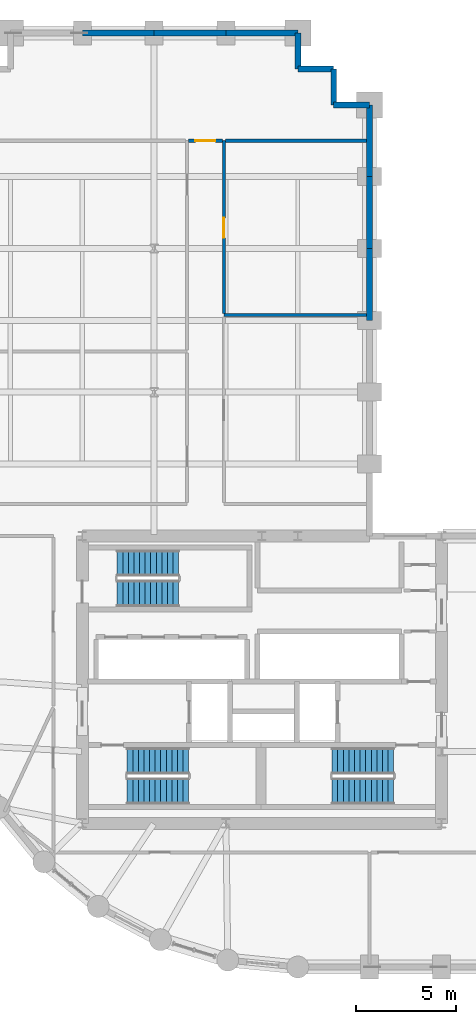
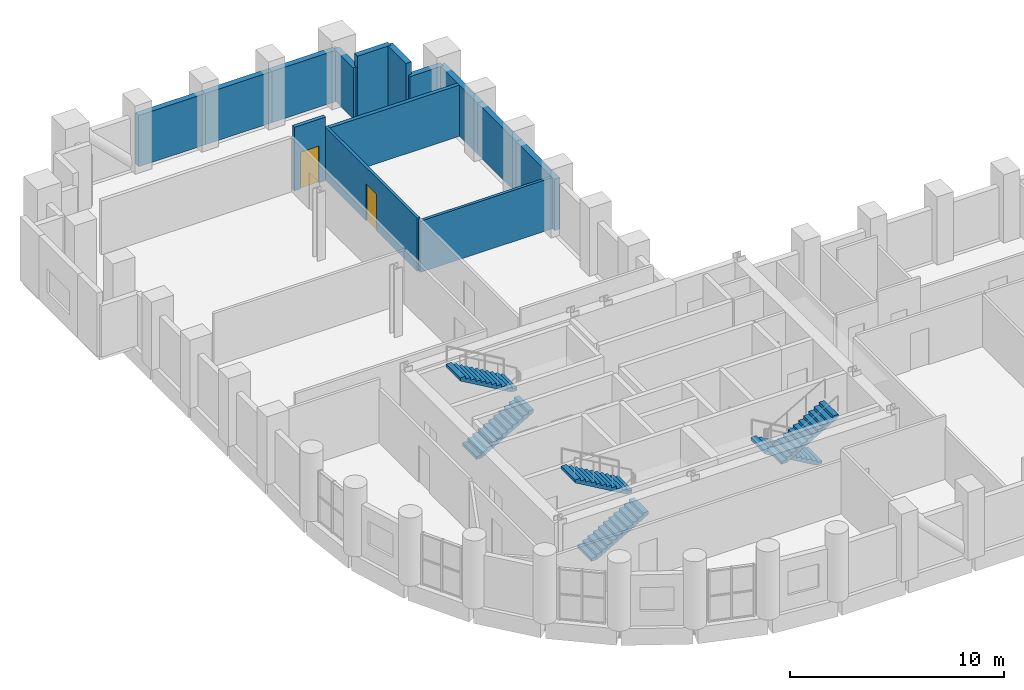
# One storey, part 12 of 13: 14 walls, 6 stair flights, 2 doors, 2 openings, 3 elements without a shape of their own.
"""IFC4 building model written with IfcOpenShell, lengths in metres."""

from ifc_helpers import new_model, si_unit, direction, frame, frame_2d, origin, place, context, subcontext, project, spatial, polyline, rectangle, outline, extrude, material, layer, layer_set, type_object, element, fill, aggregate, save


model = new_model("IFC4")

# Units and contexts
model_context = context("Model", 3, precision=1e-05, world=origin(), true_north=direction((0.0, 1.0)))
body_context = subcontext(model_context, "Body", "Model", "MODEL_VIEW")
ifc_project = project(units=[si_unit("LENGTHUNIT", "METRE"), si_unit("AREAUNIT", "SQUARE_METRE"), si_unit("VOLUMEUNIT", "CUBIC_METRE"), si_unit("PLANEANGLEUNIT", "RADIAN"), si_unit("MASSUNIT", "GRAM", prefix="KILO")], contexts=[model_context])

# Site, building, storey
site_placement = place(None, origin())
site = spatial("IfcSite", under=ifc_project, at=site_placement, CompositionType="ELEMENT")
building_placement = place(site_placement, origin())
building = spatial("IfcBuilding", under=site, at=building_placement, Name="Solnavia Interchange Tower", CompositionType="ELEMENT")
storey_placement = place(building_placement, frame((0.0, 0.0, 51.300048828125)))
storey = spatial("IfcBuildingStorey", under=building, at=storey_placement, Name="L12", CompositionType="ELEMENT", Elevation=51.300048828125)

# Wall
ifc_material_1 = material(Name="Gypsum Acoustic Twin-Stud & Mineral Wool", Category="gypsum")
ifc_layer_1 = layer(ifc_material_1, 0.199951171875)
ifc_layer_set_1 = layer_set([ifc_layer_1], Name="Gypsum Acoustic Twin-Stud & Mineral Wool")
wall_type_1 = type_object("IfcWallType", Name="Wall-ApartmentParty-200", PredefinedType="PARTITIONING", material=ifc_layer_set_1)
wall_1_placement = place(storey_placement, frame((21.5791015625, 45.0, 0.0), z_axis=(0.0, 0.0, 1.0), x_axis=(1.0, 0.0, 0.0)))
element("IfcWall", 1, at=wall_1_placement, inside=storey, type_object=wall_type_1, Name="PTW-L12-36 Interior partition wall", PredefinedType="PARTITIONING", context=body_context, shape_type="SweptSolid", body=[
    extrude(rectangle(XDim=7.06689453125, YDim=0.199951171875, at=frame_2d((3.533447265625, 0.0))), origin(), (0.0, 0.0, 1.0), 2.929931640625),
])

# Wall, opening, door
wall_2_placement = place(storey_placement, frame((19.72900390625, 45.0, 0.0), z_axis=(0.0, 0.0, 1.0), x_axis=(1.0, 0.0, 0.0)))
wall_2 = element("IfcWall", 2, at=wall_2_placement, inside=storey, type_object=wall_type_1, Name="PTW-L12-37 Interior partition wall", PredefinedType="PARTITIONING", context=body_context, shape_type="SweptSolid", body=[
    extrude(rectangle(XDim=1.69189453125, YDim=0.199951171875, at=frame_2d((0.845947265625, 0.0))), origin(), (0.0, 0.0, 1.0), 3.635009765625),
])
opening_1_placement = place(wall_2_placement, frame((0.339111328125, 0.0, 0.0)))
opening_1 = element("IfcOpeningElement", 3, at=opening_1_placement, cuts=wall_2, Name="Opening DR-06", PredefinedType="OPENING", context=body_context, shape_type="SweptSolid", body=[
    extrude(rectangle(XDim=1.0, YDim=2.10009765625, at=frame_2d((0.5, 1.050048828125))), frame((0.0, 0.10986328125, 0.0), z_axis=(0.0, -1.0, 0.0), x_axis=(1.0, 0.0, 0.0)), (0.0, 0.0, 1.0), 0.219970703125),
])
ifc_material_2 = material(Name="Engineered Timber Acoustic Fire Door", Category="wood")
door_type_1 = type_object("IfcDoorType", Name="Door-FlatEntry-1000x2100", OperationType="SINGLE_SWING_LEFT", PredefinedType="DOOR", material=ifc_material_2)
door_1_placement = place(opening_1_placement, origin())
door_1 = element("IfcDoor", 4, at=door_1_placement, inside=storey, type_object=door_type_1, Name="DR-L12-17 Interior room door", OperationType="SINGLE_SWING_LEFT", OverallHeight=2.10009765625, OverallWidth=1.0, PredefinedType="DOOR", context=body_context, shape_type="SweptSolid", body=[
    extrude(rectangle(XDim=1.0, YDim=2.10009765625, at=frame_2d((0.5, 1.050048828125))), frame((0.0, 0.02490234375, 0.0), z_axis=(0.0, -1.0, 0.0), x_axis=(1.0, 0.0, 0.0)), (0.0, 0.0, 1.0), 0.050048828125),
])
fill(opening_1, door_1)

# Walls
ifc_material_3 = material(Name="Concrete C40/50", Category="concrete")
ifc_layer_2 = layer(ifc_material_3, 0.300048828125)
ifc_layer_set_2 = layer_set([ifc_layer_2], Name="Concrete C40/50")
wall_type_2 = type_object("IfcWallType", Name="Wall-ExtSpandrel-300", PredefinedType="STANDARD", material=ifc_layer_set_2)
wall_3_placement = place(storey_placement, frame((28.800048828125, 36.0, 0.0), z_axis=(0.0, 0.0, 1.0), x_axis=(0.0, 1.0, 0.0)))
element("IfcWall", 5, at=wall_3_placement, inside=storey, type_object=wall_type_2, Name="EXW-L12-33 Exterior precast spandrel wall", PredefinedType="STANDARD", context=body_context, shape_type="SweptSolid", body=[
    extrude(rectangle(XDim=3.60009765625, YDim=0.300048828125, at=frame_2d((1.800048828125, 0.0))), origin(), (0.0, 0.0, 1.0), 2.929931640625),
])
wall_4_placement = place(storey_placement, frame((28.800048828125, 39.60009765625, 0.0), z_axis=(0.0, 0.0, 1.0), x_axis=(0.0, 1.0, 0.0)))
element("IfcWall", 6, at=wall_4_placement, inside=storey, type_object=wall_type_2, Name="EXW-L12-34 Exterior precast spandrel wall", PredefinedType="STANDARD", context=body_context, shape_type="SweptSolid", body=[
    extrude(rectangle(XDim=3.599853515625, YDim=0.300048828125, at=frame_2d((1.7998046875, 0.0))), origin(), (0.0, 0.0, 1.0), 2.929931640625),
])
wall_5_placement = place(storey_placement, frame((28.800048828125, 43.199951171875, 0.0), z_axis=(0.0, 0.0, 1.0), x_axis=(0.0, 1.0, 0.0)))
element("IfcWall", 7, at=wall_5_placement, inside=storey, type_object=wall_type_2, Name="EXW-L12-35 Exterior precast spandrel wall", PredefinedType="STANDARD", context=body_context, shape_type="SweptSolid", body=[
    extrude(rectangle(XDim=3.60009765625, YDim=0.300048828125, at=frame_2d((1.800048828125, 0.0))), origin(), (0.0, 0.0, 1.0), 2.929931640625),
])
wall_6_placement = place(storey_placement, frame((27.0, 46.800048828125, 0.0), z_axis=(0.0, 0.0, 1.0), x_axis=(1.0, 0.0, 0.0)))
element("IfcWall", 8, at=wall_6_placement, inside=storey, type_object=wall_type_2, Name="EXW-L12-36 Exterior precast spandrel wall", PredefinedType="STANDARD", context=body_context, shape_type="SweptSolid", body=[
    extrude(rectangle(XDim=1.800048828125, YDim=0.300048828125, at=frame_2d((0.89990234375, 0.0))), origin(), (0.0, 0.0, 1.0), 2.929931640625),
])
for number, where, z_axis, x_axis, name in (
    (9, (27.0, 46.800048828125, 0.0), (0.0, 0.0, 1.0), (0.0, 1.0, 0.0), "EXW-L12-37 Exterior precast spandrel wall"),
    (10, (25.199951171875, 48.60009765625, 0.0), (0.0, 0.0, 1.0), (1.0, 0.0, 0.0), "EXW-L12-38 Exterior precast spandrel wall"),
):
    element("IfcWall", number, at=place(storey_placement, frame(where, z_axis=z_axis, x_axis=x_axis)), inside=storey, type_object=wall_type_2, Name=name, PredefinedType="STANDARD", context=body_context, shape_type="SweptSolid", body=[
        extrude(rectangle(XDim=1.800048828125, YDim=0.300048828125, at=frame_2d((0.89990234375, 0.0))), origin(), (0.0, 0.0, 1.0), 3.635009765625),
    ])
wall_7_placement = place(storey_placement, frame((25.199951171875, 48.60009765625, 0.0), z_axis=(0.0, 0.0, 1.0), x_axis=(0.0, 1.0, 0.0)))
element("IfcWall", 11, at=wall_7_placement, inside=storey, type_object=wall_type_2, Name="EXW-L12-39 Exterior precast spandrel wall", PredefinedType="STANDARD", context=body_context, shape_type="SweptSolid", body=[
    extrude(rectangle(XDim=1.7998046875, YDim=0.300048828125, at=frame_2d((0.89990234375, 0.0))), origin(), (0.0, 0.0, 1.0), 2.929931640625),
])
wall_8_placement = place(storey_placement, frame((21.60009765625, 50.39990234375, 0.0), z_axis=(0.0, 0.0, 1.0), x_axis=(1.0, 0.0, 0.0)))
element("IfcWall", 12, at=wall_8_placement, inside=storey, type_object=wall_type_2, Name="EXW-L12-40 Exterior precast spandrel wall", PredefinedType="STANDARD", context=body_context, shape_type="SweptSolid", body=[
    extrude(rectangle(XDim=3.599853515625, YDim=0.300048828125, at=frame_2d((1.7998046875, 0.0))), origin(), (0.0, 0.0, 1.0), 2.929931640625),
])
for number, where, z_axis, x_axis, name in (
    (13, (18.0, 50.39990234375, 0.0), (0.0, 0.0, 1.0), (1.0, 0.0, 0.0), "EXW-L12-41 Exterior precast spandrel wall"),
    (14, (14.39990234375, 50.39990234375, 0.0), (0.0, 0.0, 1.0), (1.0, 0.0, 0.0), "EXW-L12-42 Exterior precast spandrel wall"),
):
    element("IfcWall", number, at=place(storey_placement, frame(where, z_axis=z_axis, x_axis=x_axis)), inside=storey, type_object=wall_type_2, Name=name, PredefinedType="STANDARD", context=body_context, shape_type="SweptSolid", body=[
        extrude(rectangle(XDim=3.60009765625, YDim=0.300048828125, at=frame_2d((1.800048828125, 0.0))), origin(), (0.0, 0.0, 1.0), 2.929931640625),
    ])
ifc_material_4 = material(Name="Gypsum Plasterboard & Steel Stud", Category="steel")
ifc_layer_3 = layer(ifc_material_4, 0.14990234375)
ifc_layer_set_3 = layer_set([ifc_layer_3], Name="Gypsum Plasterboard & Steel Stud")
wall_type_3 = type_object("IfcWallType", Name="Wall-Partition-150", PredefinedType="PARTITIONING", material=ifc_layer_set_3)
wall_9_placement = place(storey_placement, frame((21.5, 36.260009765625, 0.0), z_axis=(0.0, 0.0, 1.0), x_axis=(1.0, 0.0, 0.0)))
element("IfcWall", 15, at=wall_9_placement, inside=storey, type_object=wall_type_3, Name="PTW-L12-32 Interior partition wall", PredefinedType="PARTITIONING", context=body_context, shape_type="SweptSolid", body=[
    extrude(rectangle(XDim=7.14599609375, YDim=0.14990234375, at=frame_2d((3.572998046875, 0.0))), origin(), (0.0, 0.0, 1.0), 2.929931640625),
])

# Wall, opening, door
wall_10_placement = place(storey_placement, frame((21.5, 36.339111328125, 0.0), z_axis=(0.0, 0.0, 1.0), x_axis=(0.0, 1.0, 0.0)))
wall_10 = element("IfcWall", 16, at=wall_10_placement, inside=storey, type_object=wall_type_3, Name="PTW-L12-34 Interior partition wall", PredefinedType="PARTITIONING", context=body_context, shape_type="SweptSolid", body=[
    extrude(rectangle(XDim=8.660888671875, YDim=0.14990234375, at=frame_2d((4.33056640625, 0.0))), origin(), (0.0, 0.0, 1.0), 3.030029296875),
])
opening_2_placement = place(wall_10_placement, frame((3.791015625, 0.0, 0.0)))
opening_2 = element("IfcOpeningElement", 17, at=opening_2_placement, cuts=wall_10, Name="Opening DR-07", PredefinedType="OPENING", context=body_context, shape_type="SweptSolid", body=[
    extrude(rectangle(XDim=1.0, YDim=2.10009765625, at=frame_2d((0.5, 1.050048828125))), frame((0.0, 0.0849609375, 0.0), z_axis=(0.0, -1.0, 0.0), x_axis=(1.0, 0.0, 0.0)), (0.0, 0.0, 1.0), 0.169921875),
])
ifc_material_5 = material(Name="Timber & Acoustic Glazed Office Door", Category="wood")
door_type_2 = type_object("IfcDoorType", Name="Door-Office-1000x2100", OperationType="SINGLE_SWING_RIGHT", PredefinedType="DOOR", material=ifc_material_5)
door_2_placement = place(opening_2_placement, origin())
door_2 = element("IfcDoor", 18, at=door_2_placement, inside=storey, type_object=door_type_2, Name="DR-L12-16 Interior room door", OperationType="SINGLE_SWING_LEFT", OverallHeight=2.10009765625, OverallWidth=1.0, PredefinedType="DOOR", context=body_context, shape_type="SweptSolid", body=[
    extrude(rectangle(XDim=1.0, YDim=2.10009765625, at=frame_2d((0.5, 1.050048828125))), frame((0.0, 0.02490234375, 0.0), z_axis=(0.0, -1.0, 0.0), x_axis=(1.0, 0.0, 0.0)), (0.0, 0.0, 1.0), 0.050048828125),
])
fill(opening_2, door_2)

# Stair, stair flights
stair_type = type_object("IfcStairType", Name="Stair-Dogleg-RC", PredefinedType="HALF_TURN_STAIR", material=ifc_material_3)
stair_1_placement = place(storey_placement, origin())
stair_1 = element("IfcStair", 19, at=stair_1_placement, inside=storey, type_object=stair_type, Name="L12 Core exit stair 1", PredefinedType="HALF_TURN_STAIR")
stair_flight_type = type_object("IfcStairFlightType", Name="StairFlight-RC-150", PredefinedType="STRAIGHT", material=ifc_material_3)
stair_flight_1_placement = place(storey_placement, frame((16.64990234375, 12.409912109375, 0.0), z_axis=(0.0, 0.0, 1.0), x_axis=(1.0, 0.0, 0.0)))
stair_flight_1 = element("IfcStairFlight", 20, at=stair_flight_1_placement, type_object=stair_flight_type, Name="ST-1 flight 1", NumberOfRisers=12, NumberOfTreads=11, PredefinedType="STRAIGHT", RiserHeight=0.1625, TreadLength=0.28, context=body_context, shape_type="SweptSolid", body=[
    extrude(outline(polyline([(0.0, 0.0), (0.0, 0.16259765625), (0.280029296875, 0.16259765625), (0.280029296875, 0.324951171875), (0.56005859375, 0.324951171875), (0.56005859375, 0.487548828125), (0.840087890625, 0.487548828125), (0.840087890625, 0.64990234375), (1.1201171875, 0.64990234375), (1.1201171875, 0.8125), (1.39990234375, 0.8125), (1.39990234375, 0.97509765625), (1.679931640625, 0.97509765625), (1.679931640625, 1.137451171875), (1.9599609375, 1.137451171875), (1.9599609375, 1.300048828125), (2.239990234375, 1.300048828125), (2.239990234375, 1.46240234375), (2.52001953125, 1.46240234375), (2.52001953125, 1.625), (2.800048828125, 1.625), (2.800048828125, 1.78759765625), (3.080078125, 1.78759765625), (3.080078125, 1.949951171875), (3.080078125, 1.6142578125), (0.298583984375, 0.0), (0.0, 0.0)])), frame((0.0, 0.66015625, 0.0), z_axis=(0.0, -1.0, 0.0), x_axis=(1.0, 0.0, 0.0)), (0.0, 0.0, 1.0), 1.320068359375),
])
stair_flight_2_placement = place(storey_placement, frame((19.72998046875, 13.929931640625, 1.949951171875), z_axis=(0.0, 0.0, 1.0), x_axis=(-1.0, 0.0, 0.0)))
stair_flight_2 = element("IfcStairFlight", 21, at=stair_flight_2_placement, type_object=stair_flight_type, Name="ST-1 flight 2", NumberOfRisers=12, NumberOfTreads=11, PredefinedType="STRAIGHT", RiserHeight=0.1625, TreadLength=0.28, context=body_context, shape_type="SweptSolid", body=[
    extrude(outline(polyline([(0.0, 0.0), (0.0, 0.16259765625), (0.280029296875, 0.16259765625), (0.280029296875, 0.324951171875), (0.56005859375, 0.324951171875), (0.56005859375, 0.487548828125), (0.840087890625, 0.487548828125), (0.840087890625, 0.64990234375), (1.1201171875, 0.64990234375), (1.1201171875, 0.8125), (1.39990234375, 0.8125), (1.39990234375, 0.97509765625), (1.679931640625, 0.97509765625), (1.679931640625, 1.137451171875), (1.9599609375, 1.137451171875), (1.9599609375, 1.300048828125), (2.239990234375, 1.300048828125), (2.239990234375, 1.46240234375), (2.52001953125, 1.46240234375), (2.52001953125, 1.625), (2.800048828125, 1.625), (2.800048828125, 1.78759765625), (3.080078125, 1.78759765625), (3.080078125, 1.949951171875), (3.080078125, 1.6142578125), (0.298583984375, 0.0), (0.0, 0.0)])), frame((0.0, 0.66015625, 0.0), z_axis=(0.0, -1.0, 0.0), x_axis=(1.0, 0.0, 0.0)), (0.0, 0.0, 1.0), 1.320068359375),
])
aggregate(stair_1, [stair_flight_1, stair_flight_2])

stair_2_placement = place(storey_placement, origin())
stair_2 = element("IfcStair", 22, at=stair_2_placement, inside=storey, type_object=stair_type, Name="L12 Core exit stair 2", PredefinedType="HALF_TURN_STAIR")
stair_flight_3_placement = place(storey_placement, frame((30.0, 13.929931640625, 0.0), z_axis=(0.0, 0.0, 1.0), x_axis=(-1.0, 0.0, 0.0)))
stair_flight_3 = element("IfcStairFlight", 23, at=stair_flight_3_placement, type_object=stair_flight_type, Name="ST-2 flight 1", NumberOfRisers=12, NumberOfTreads=11, PredefinedType="STRAIGHT", RiserHeight=0.1625, TreadLength=0.28, context=body_context, shape_type="SweptSolid", body=[
    extrude(outline(polyline([(0.0, 0.0), (0.0, 0.16259765625), (0.280029296875, 0.16259765625), (0.280029296875, 0.324951171875), (0.56005859375, 0.324951171875), (0.56005859375, 0.487548828125), (0.840087890625, 0.487548828125), (0.840087890625, 0.64990234375), (1.1201171875, 0.64990234375), (1.1201171875, 0.8125), (1.39990234375, 0.8125), (1.39990234375, 0.97509765625), (1.679931640625, 0.97509765625), (1.679931640625, 1.137451171875), (1.9599609375, 1.137451171875), (1.9599609375, 1.300048828125), (2.239990234375, 1.300048828125), (2.239990234375, 1.46240234375), (2.52001953125, 1.46240234375), (2.52001953125, 1.625), (2.800048828125, 1.625), (2.800048828125, 1.78759765625), (3.080078125, 1.78759765625), (3.080078125, 1.949951171875), (3.080078125, 1.6142578125), (0.298583984375, 0.0), (0.0, 0.0)])), frame((0.0, 0.66015625, 0.0), z_axis=(0.0, -1.0, 0.0), x_axis=(1.0, 0.0, 0.0)), (0.0, 0.0, 1.0), 1.320068359375),
])
stair_flight_4_placement = place(storey_placement, frame((26.919921875, 12.409912109375, 1.949951171875), z_axis=(0.0, 0.0, 1.0), x_axis=(1.0, 0.0, 0.0)))
stair_flight_4 = element("IfcStairFlight", 24, at=stair_flight_4_placement, type_object=stair_flight_type, Name="ST-2 flight 2", NumberOfRisers=12, NumberOfTreads=11, PredefinedType="STRAIGHT", RiserHeight=0.1625, TreadLength=0.28, context=body_context, shape_type="SweptSolid", body=[
    extrude(outline(polyline([(0.0, 0.0), (0.0, 0.16259765625), (0.280029296875, 0.16259765625), (0.280029296875, 0.324951171875), (0.56005859375, 0.324951171875), (0.56005859375, 0.487548828125), (0.840087890625, 0.487548828125), (0.840087890625, 0.64990234375), (1.1201171875, 0.64990234375), (1.1201171875, 0.8125), (1.39990234375, 0.8125), (1.39990234375, 0.97509765625), (1.679931640625, 0.97509765625), (1.679931640625, 1.137451171875), (1.9599609375, 1.137451171875), (1.9599609375, 1.300048828125), (2.239990234375, 1.300048828125), (2.239990234375, 1.46240234375), (2.52001953125, 1.46240234375), (2.52001953125, 1.625), (2.800048828125, 1.625), (2.800048828125, 1.78759765625), (3.080078125, 1.78759765625), (3.080078125, 1.949951171875), (3.080078125, 1.6142578125), (0.298583984375, 0.0), (0.0, 0.0)])), frame((0.0, 0.66015625, 0.0), z_axis=(0.0, -1.0, 0.0), x_axis=(1.0, 0.0, 0.0)), (0.0, 0.0, 1.0), 1.320068359375),
])
aggregate(stair_2, [stair_flight_3, stair_flight_4])

stair_3_placement = place(storey_placement, origin())
stair_3 = element("IfcStair", 25, at=stair_3_placement, inside=storey, type_object=stair_type, Name="L12 Core exit stair 3", PredefinedType="HALF_TURN_STAIR")
stair_flight_5_placement = place(storey_placement, frame((16.14990234375, 22.31005859375, 0.0), z_axis=(0.0, 0.0, 1.0), x_axis=(1.0, 0.0, 0.0)))
stair_flight_5 = element("IfcStairFlight", 26, at=stair_flight_5_placement, type_object=stair_flight_type, Name="ST-3 flight 1", NumberOfRisers=12, NumberOfTreads=11, PredefinedType="STRAIGHT", RiserHeight=0.1625, TreadLength=0.28, context=body_context, shape_type="SweptSolid", body=[
    extrude(outline(polyline([(0.0, 0.0), (0.0, 0.16259765625), (0.280029296875, 0.16259765625), (0.280029296875, 0.324951171875), (0.56005859375, 0.324951171875), (0.56005859375, 0.487548828125), (0.840087890625, 0.487548828125), (0.840087890625, 0.64990234375), (1.1201171875, 0.64990234375), (1.1201171875, 0.8125), (1.39990234375, 0.8125), (1.39990234375, 0.97509765625), (1.679931640625, 0.97509765625), (1.679931640625, 1.137451171875), (1.9599609375, 1.137451171875), (1.9599609375, 1.300048828125), (2.239990234375, 1.300048828125), (2.239990234375, 1.46240234375), (2.52001953125, 1.46240234375), (2.52001953125, 1.625), (2.800048828125, 1.625), (2.800048828125, 1.78759765625), (3.080078125, 1.78759765625), (3.080078125, 1.949951171875), (3.080078125, 1.6142578125), (0.298583984375, 0.0), (0.0, 0.0)])), frame((0.0, 0.66015625, 0.0), z_axis=(0.0, -1.0, 0.0), x_axis=(1.0, 0.0, 0.0)), (0.0, 0.0, 1.0), 1.320068359375),
])
stair_flight_6_placement = place(storey_placement, frame((19.22998046875, 23.830078125, 1.949951171875), z_axis=(0.0, 0.0, 1.0), x_axis=(-1.0, 0.0, 0.0)))
stair_flight_6 = element("IfcStairFlight", 27, at=stair_flight_6_placement, type_object=stair_flight_type, Name="ST-3 flight 2", NumberOfRisers=12, NumberOfTreads=11, PredefinedType="STRAIGHT", RiserHeight=0.1625, TreadLength=0.28, context=body_context, shape_type="SweptSolid", body=[
    extrude(outline(polyline([(0.0, 0.0), (0.0, 0.16259765625), (0.280029296875, 0.16259765625), (0.280029296875, 0.324951171875), (0.56005859375, 0.324951171875), (0.56005859375, 0.487548828125), (0.840087890625, 0.487548828125), (0.840087890625, 0.64990234375), (1.1201171875, 0.64990234375), (1.1201171875, 0.8125), (1.39990234375, 0.8125), (1.39990234375, 0.97509765625), (1.679931640625, 0.97509765625), (1.679931640625, 1.137451171875), (1.9599609375, 1.137451171875), (1.9599609375, 1.300048828125), (2.239990234375, 1.300048828125), (2.239990234375, 1.46240234375), (2.52001953125, 1.46240234375), (2.52001953125, 1.625), (2.800048828125, 1.625), (2.800048828125, 1.78759765625), (3.080078125, 1.78759765625), (3.080078125, 1.949951171875), (3.080078125, 1.6142578125), (0.298583984375, 0.0), (0.0, 0.0)])), frame((0.0, 0.66015625, 0.0), z_axis=(0.0, -1.0, 0.0), x_axis=(1.0, 0.0, 0.0)), (0.0, 0.0, 1.0), 1.320068359375),
])
aggregate(stair_3, [stair_flight_5, stair_flight_6])

save(model, "model.ifc")
